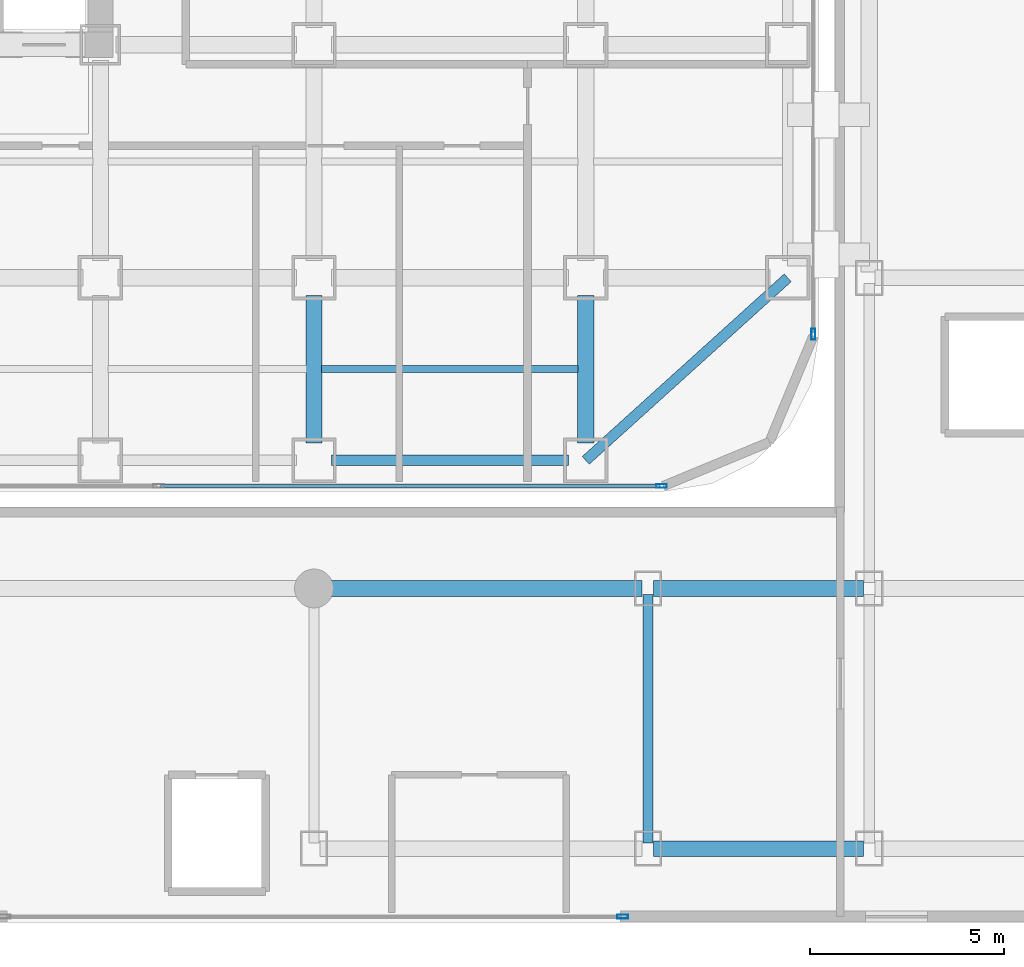
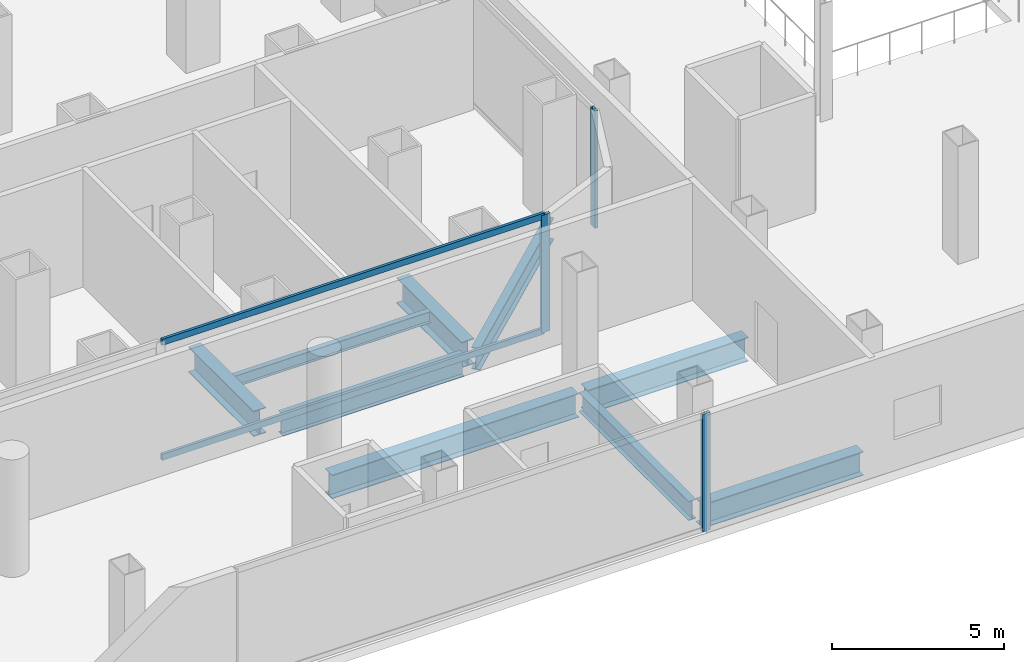
# One storey, part 10 of 26: 9 beams, 5 members, 3 elements without a shape of their own.
"""IFC4 building model written with IfcOpenShell, lengths in metres."""

from ifc_helpers import new_model, si_unit, direction, frame, origin, origin_2d, place, context, subcontext, project, spatial, hollow_rectangle, i_section, extrude, source, transform, mapped, material, layer, layer_set, material_profile, profile_set, type_object, element, aggregate, save


model = new_model("IFC4")

# Units and contexts
model_context = context("Model", 3, precision=1e-05, world=origin(), true_north=direction((0.0, 1.0)))
body_context = subcontext(model_context, "Body", "Model", "MODEL_VIEW")
ifc_project = project(units=[si_unit("LENGTHUNIT", "METRE"), si_unit("AREAUNIT", "SQUARE_METRE"), si_unit("VOLUMEUNIT", "CUBIC_METRE"), si_unit("PLANEANGLEUNIT", "RADIAN"), si_unit("MASSUNIT", "GRAM", prefix="KILO")], contexts=[model_context])

# Site, building, storey
site_placement = place(None, origin())
site = spatial("IfcSite", under=ifc_project, at=site_placement, CompositionType="ELEMENT")
building_placement = place(site_placement, origin())
building = spatial("IfcBuilding", under=site, at=building_placement, Name="Kolveth Station Tower", CompositionType="ELEMENT")
storey_placement = place(building_placement, frame((0.0, 0.0, 4.5)))
storey = spatial("IfcBuildingStorey", under=building, at=storey_placement, Name="L01", CompositionType="ELEMENT", Elevation=4.5)

# Beams
ifc_material_1 = material(Name="Steel S355", Category="steel")
ifc_material_profile_1 = material_profile(ifc_material_1, i_section(OverallWidth=0.26904296875, OverallDepth=0.77490234375, WebThickness=0.01708984375, FlangeThickness=0.0283203125, at=origin_2d()), Name="W760x220")
ifc_profile_set_1 = profile_set([ifc_material_profile_1], Name="Steel S355")
beam_type_1 = type_object("IfcBeamType", Name="Beam_SP1", PredefinedType="SPANDREL", material=ifc_profile_set_1)
shared_shape_1 = source(origin(), body_context, "Body", "SweptSolid", [
    extrude(i_section(OverallWidth=0.26904296875, OverallDepth=0.77490234375, WebThickness=0.01708984375, FlangeThickness=0.0283203125, at=origin_2d()), origin(), (0.0, 0.0, 1.0), 6.10009765625),
])
beam_1_placement = place(storey_placement, frame((34.449951171875, 0.800048828125, -0.70751953125), z_axis=(1.0, 0.0, 0.0), x_axis=(0.0, 1.0, 0.0)))
element("IfcBeam", 1, at=beam_1_placement, inside=storey, type_object=beam_type_1, Name="L01 Perimeter Spandrel BM-L01-PS-5", PredefinedType="SPANDREL", context=body_context, shape_type="MappedRepresentation", body=[
    mapped(shared_shape_1, transform((0.0, 0.0, 0.0), x_axis=(1.0, 0.0, 0.0), y_axis=(0.0, 1.0, 0.0), z_axis=(0.0, 0.0, 1.0), scale=1.0)),
])
shared_shape_2 = source(origin(), body_context, "Body", "SweptSolid", [
    extrude(i_section(OverallWidth=0.26904296875, OverallDepth=0.77490234375, WebThickness=0.01708984375, FlangeThickness=0.0283203125, at=origin_2d()), origin(), (0.0, 0.0, 1.0), 7.00927734375),
])
beam_2_placement = place(storey_placement, frame((41.0, 0.800048828125, -0.70751953125), z_axis=(0.741874009795, 0.670539300557, 0.0), x_axis=(-0.670539300557, 0.741874009795, 0.0)))
element("IfcBeam", 2, at=beam_2_placement, inside=storey, type_object=beam_type_1, Name="L01 Corner Edge Girder BM-L01-CNR-SE", PredefinedType="SPANDREL", context=body_context, shape_type="MappedRepresentation", body=[
    mapped(shared_shape_2, transform((0.0, 0.0, 0.0), x_axis=(1.0, 0.0, 0.0), y_axis=(0.0, 1.0, 0.0), z_axis=(0.0, 0.0, 1.0), scale=1.0)),
])
ifc_material_profile_2 = material_profile(ifc_material_1, i_section(OverallWidth=0.41796875, OverallDepth=0.912109375, WebThickness=0.019287109375, FlangeThickness=0.031982421875, at=origin_2d()), Name="W920x342")
ifc_profile_set_2 = profile_set([ifc_material_profile_2], Name="Steel S355")
beam_type_2 = type_object("IfcBeamType", Name="Beam_B1", PredefinedType="BEAM", material=ifc_profile_set_2)
shared_shape_3 = source(origin(), body_context, "Body", "SweptSolid", [
    extrude(i_section(OverallWidth=0.41796875, OverallDepth=0.912109375, WebThickness=0.019287109375, FlangeThickness=0.031982421875, at=origin_2d()), origin(), (0.0, 0.0, 1.0), 3.800048828125),
])
for number, where, z_axis, x_axis, name in (
    (3, (34.0, 1.25, -0.77587890625), (0.0, 1.0, 0.0), (-1.0, 0.0, 0.0), "L01 Primary Girder BM-L01-GX340-1"),
    (4, (41.0, 1.25, -0.77587890625), (0.0, 1.0, 0.0), (-1.0, 0.0, 0.0), "L01 Primary Girder BM-L01-GX410-1"),
):
    element("IfcBeam", number, at=place(storey_placement, frame(where, z_axis=z_axis, x_axis=x_axis)), inside=storey, type_object=beam_type_2, Name=name, PredefinedType="BEAM", context=body_context, shape_type="MappedRepresentation", body=[
        mapped(shared_shape_3, transform((0.0, 0.0, 0.0), x_axis=(1.0, 0.0, 0.0), y_axis=(0.0, 1.0, 0.0), z_axis=(0.0, 0.0, 1.0), scale=1.0)),
    ])
ifc_material_profile_3 = material_profile(ifc_material_1, i_section(OverallWidth=0.177978515625, OverallDepth=0.406982421875, WebThickness=0.0078125, FlangeThickness=0.0126953125, at=origin_2d()), Name="W410x60")
ifc_profile_set_3 = profile_set([ifc_material_profile_3], Name="Steel S355")
beam_type_3 = type_object("IfcBeamType", Name="Beam_J1", PredefinedType="JOIST", material=ifc_profile_set_3)
shared_shape_4 = source(origin(), body_context, "Body", "SweptSolid", [
    extrude(i_section(OverallWidth=0.177978515625, OverallDepth=0.406982421875, WebThickness=0.0078125, FlangeThickness=0.0126953125, at=origin_2d()), origin(), (0.0, 0.0, 1.0), 6.60986328125),
])
beam_3_placement = place(storey_placement, frame((34.195068359375, 3.14990234375, -0.5234375), z_axis=(1.0, 0.0, 0.0), x_axis=(0.0, 1.0, 0.0)))
element("IfcBeam", 5, at=beam_3_placement, inside=storey, type_object=beam_type_3, Name="L01 Secondary Joist JST-L01-6-1", PredefinedType="JOIST", context=body_context, shape_type="MappedRepresentation", body=[
    mapped(shared_shape_4, transform((0.0, 0.0, 0.0), x_axis=(1.0, 0.0, 0.0), y_axis=(0.0, 1.0, 0.0), z_axis=(0.0, 0.0, 1.0), scale=1.0)),
])
ifc_material_profile_4 = material_profile(ifc_material_1, i_section(OverallWidth=0.40087890625, OverallDepth=0.85107421875, WebThickness=0.01611328125, FlangeThickness=0.025390625, at=origin_2d()), Name="W840x226")
ifc_profile_set_4 = profile_set([ifc_material_profile_4], Name="Steel S355")
beam_type_4 = type_object("IfcBeamType", Name="Beam_B2", PredefinedType="BEAM", material=ifc_profile_set_4)
shared_shape_5 = source(origin(), body_context, "Body", "SweptSolid", [
    extrude(i_section(OverallWidth=0.40087890625, OverallDepth=0.85107421875, WebThickness=0.01611328125, FlangeThickness=0.025390625, at=origin_2d()), origin(), (0.0, 0.0, 1.0), 8.300048828125),
])
beam_4_placement = place(storey_placement, frame((34.14990234375, -2.5, -0.74560546875), z_axis=(1.0, 0.0, 0.0), x_axis=(0.0, 1.0, 0.0)))
element("IfcBeam", 6, at=beam_4_placement, inside=storey, type_object=beam_type_4, Name="L01 Station Concourse Girder SBM-L01-SL2-4", PredefinedType="BEAM", context=body_context, shape_type="MappedRepresentation", body=[
    mapped(shared_shape_5, transform((0.0, 0.0, 0.0), x_axis=(1.0, 0.0, 0.0), y_axis=(0.0, 1.0, 0.0), z_axis=(0.0, 0.0, 1.0), scale=1.0)),
])
shared_shape_6 = source(origin(), body_context, "Body", "SweptSolid", [
    extrude(i_section(OverallWidth=0.40087890625, OverallDepth=0.85107421875, WebThickness=0.01611328125, FlangeThickness=0.025390625, at=origin_2d()), origin(), (0.0, 0.0, 1.0), 5.39990234375),
])
for number, where, z_axis, x_axis, name in (
    (7, (42.75, -9.199951171875, -0.74560546875), (1.0, 0.0, 0.0), (0.0, 1.0, 0.0), "L01 Station Concourse Girder SBM-L01-SL1-5"),
    (8, (42.75, -2.5, -0.74560546875), (1.0, 0.0, 0.0), (0.0, 1.0, 0.0), "L01 Station Concourse Girder SBM-L01-SL2-5"),
):
    element("IfcBeam", number, at=place(storey_placement, frame(where, z_axis=z_axis, x_axis=x_axis)), inside=storey, type_object=beam_type_4, Name=name, PredefinedType="BEAM", context=body_context, shape_type="MappedRepresentation", body=[
        mapped(shared_shape_6, transform((0.0, 0.0, 0.0), x_axis=(1.0, 0.0, 0.0), y_axis=(0.0, 1.0, 0.0), z_axis=(0.0, 0.0, 1.0), scale=1.0)),
    ])
ifc_material_profile_5 = material_profile(ifc_material_1, i_section(OverallWidth=0.25390625, OverallDepth=0.68798828125, WebThickness=0.01318359375, FlangeThickness=0.02099609375, at=origin_2d()), Name="W690x152")
ifc_profile_set_5 = profile_set([ifc_material_profile_5], Name="Steel S355")
beam_type_5 = type_object("IfcBeamType", Name="Beam_B4", PredefinedType="BEAM", material=ifc_profile_set_5)
shared_shape_7 = source(origin(), body_context, "Body", "SweptSolid", [
    extrude(i_section(OverallWidth=0.25390625, OverallDepth=0.68798828125, WebThickness=0.01318359375, FlangeThickness=0.02099609375, at=origin_2d()), origin(), (0.0, 0.0, 1.0), 6.400146484375),
])
beam_5_placement = place(storey_placement, frame((42.60009765625, -9.050048828125, -0.6640625), z_axis=(0.0, 1.0, 0.0), x_axis=(-1.0, 0.0, 0.0)))
element("IfcBeam", 9, at=beam_5_placement, inside=storey, type_object=beam_type_5, Name="L01 Station Transverse Beam SBM-L01-ST-5", PredefinedType="BEAM", context=body_context, shape_type="MappedRepresentation", body=[
    mapped(shared_shape_7, transform((0.0, 0.0, 0.0), x_axis=(1.0, 0.0, 0.0), y_axis=(0.0, 1.0, 0.0), z_axis=(0.0, 0.0, 1.0), scale=1.0)),
])

# Curtain wall, member
ifc_material_2 = material(Name="Black anodized aluminium 6063-T6 and clear station glass", Category="aluminium")
ifc_layer = layer(ifc_material_2, 0.239990234375)
ifc_layer_set = layer_set([ifc_layer], Name="Black anodized aluminium 6063-T6 and clear station glass")
curtain_wall_type = type_object("IfcCurtainWallType", Name="CurtainWall_CW-ST", PredefinedType="NOTDEFINED", material=ifc_layer_set)
curtain_wall_1_placement = place(storey_placement, origin())
curtain_wall_1 = element("IfcCurtainWall", 10, at=curtain_wall_1_placement, inside=storey, type_object=curtain_wall_type, Name="L01 Tower Podium South Storefront Curtain Wall", PredefinedType="NOTDEFINED")
ifc_material_3 = material(Name="Black anodized aluminium 6063-T6", Category="aluminium")
ifc_material_profile_6 = material_profile(ifc_material_3, hollow_rectangle(XDim=0.10009765625, YDim=0.280029296875, WallThickness=0.0048828125, at=origin_2d()), Name="ALU-100x280x5")
ifc_profile_set_6 = profile_set([ifc_material_profile_6], Name="Black anodized aluminium 6063-T6")
member_type_1 = type_object("IfcMemberType", Name="Mullion_ML-ST", PredefinedType="MULLION", material=ifc_profile_set_6)
shared_shape_8 = source(origin(), body_context, "Body", "SweptSolid", [
    extrude(hollow_rectangle(XDim=0.10009765625, YDim=0.280029296875, WallThickness=0.0048828125, at=origin_2d()), origin(), (0.0, 0.0, 1.0), 4.179931640625),
])
member_1_placement = place(storey_placement, frame((42.949951171875, 0.139892578125, 0.0), z_axis=(0.0, 0.0, 1.0), x_axis=(0.0, 1.0, 0.0)))
member_1 = element("IfcMember", 11, at=member_1_placement, type_object=member_type_1, Name="CW-ST mullion 4", PredefinedType="MULLION", context=body_context, shape_type="MappedRepresentation", body=[
    mapped(shared_shape_8, transform((0.0, 0.0, 0.0), x_axis=(1.0, 0.0, 0.0), y_axis=(0.0, 1.0, 0.0), z_axis=(0.0, 0.0, 1.0), scale=1.0)),
])

curtain_wall_2_placement = place(storey_placement, origin())
curtain_wall_2 = element("IfcCurtainWall", 12, at=curtain_wall_2_placement, inside=storey, type_object=curtain_wall_type, Name="L01 Tower Podium East Storefront Curtain Wall", PredefinedType="NOTDEFINED")
member_2_placement = place(storey_placement, frame((46.860107421875, 4.050048828125, 0.0), z_axis=(0.0, 0.0, 1.0), x_axis=(-1.0, 0.0, 0.0)))
member_2 = element("IfcMember", 13, at=member_2_placement, type_object=member_type_1, Name="CW-ST mullion 1", PredefinedType="MULLION", context=body_context, shape_type="MappedRepresentation", body=[
    mapped(shared_shape_8, transform((0.0, 0.0, 0.0), x_axis=(1.0, 0.0, 0.0), y_axis=(0.0, 1.0, 0.0), z_axis=(0.0, 0.0, 1.0), scale=1.0)),
])
aggregate(curtain_wall_2, [member_2])

curtain_wall_3_placement = place(storey_placement, origin())
curtain_wall_3 = element("IfcCurtainWall", 14, at=curtain_wall_3_placement, inside=storey, type_object=curtain_wall_type, Name="L01 Station South Concourse Curtain Wall", PredefinedType="NOTDEFINED")
member_3_placement = place(storey_placement, frame((41.949951171875, -10.949951171875, 0.0), z_axis=(0.0, 0.0, 1.0), x_axis=(0.0, 1.0, 0.0)))
member_3 = element("IfcMember", 15, at=member_3_placement, type_object=member_type_1, Name="CW-ST mullion 2", PredefinedType="MULLION", context=body_context, shape_type="MappedRepresentation", body=[
    mapped(shared_shape_8, transform((0.0, 0.0, 0.0), x_axis=(1.0, 0.0, 0.0), y_axis=(0.0, 1.0, 0.0), z_axis=(0.0, 0.0, 1.0), scale=1.0)),
])
aggregate(curtain_wall_3, [member_3])

# Member
ifc_material_profile_7 = material_profile(ifc_material_3, hollow_rectangle(XDim=0.094970703125, YDim=0.219970703125, WallThickness=0.0048828125, at=origin_2d()), Name="ALU-95x220x5")
ifc_profile_set_7 = profile_set([ifc_material_profile_7], Name="Black anodized aluminium 6063-T6")
member_type_2 = type_object("IfcMemberType", Name="Transom_TR-ST", PredefinedType="USERDEFINED", material=ifc_profile_set_7)
shared_shape_9 = source(origin(), body_context, "Body", "SweptSolid", [
    extrude(hollow_rectangle(XDim=0.094970703125, YDim=0.219970703125, WallThickness=0.0048828125, at=origin_2d()), origin(), (0.0, 0.0, 1.0), 12.849853515625),
])
member_4_placement = place(storey_placement, frame((30.050048828125, 0.139892578125, 0.047607421875), z_axis=(1.0, 0.0, 0.0), x_axis=(0.0, 1.0, 0.0)))
member_4 = element("IfcMember", 16, at=member_4_placement, type_object=member_type_2, Name="CW-ST transom 3.1", ObjectType="TRANSOM", PredefinedType="USERDEFINED", context=body_context, shape_type="MappedRepresentation", body=[
    mapped(shared_shape_9, transform((0.0, 0.0, 0.0), x_axis=(1.0, 0.0, 0.0), y_axis=(0.0, 1.0, 0.0), z_axis=(0.0, 0.0, 1.0), scale=1.0)),
])

member_5_placement = place(storey_placement, frame((30.050048828125, 0.139892578125, 4.132568359375), z_axis=(1.0, 0.0, 0.0), x_axis=(0.0, 1.0, 0.0)))
member_5 = element("IfcMember", 17, at=member_5_placement, type_object=member_type_2, Name="CW-ST transom 3.2", ObjectType="TRANSOM", PredefinedType="USERDEFINED", context=body_context, shape_type="MappedRepresentation", body=[
    mapped(shared_shape_9, transform((0.0, 0.0, 0.0), x_axis=(1.0, 0.0, 0.0), y_axis=(0.0, 1.0, 0.0), z_axis=(0.0, 0.0, 1.0), scale=1.0)),
])

aggregate(curtain_wall_1, [member_1, member_4, member_5])

save(model, "model.ifc")
